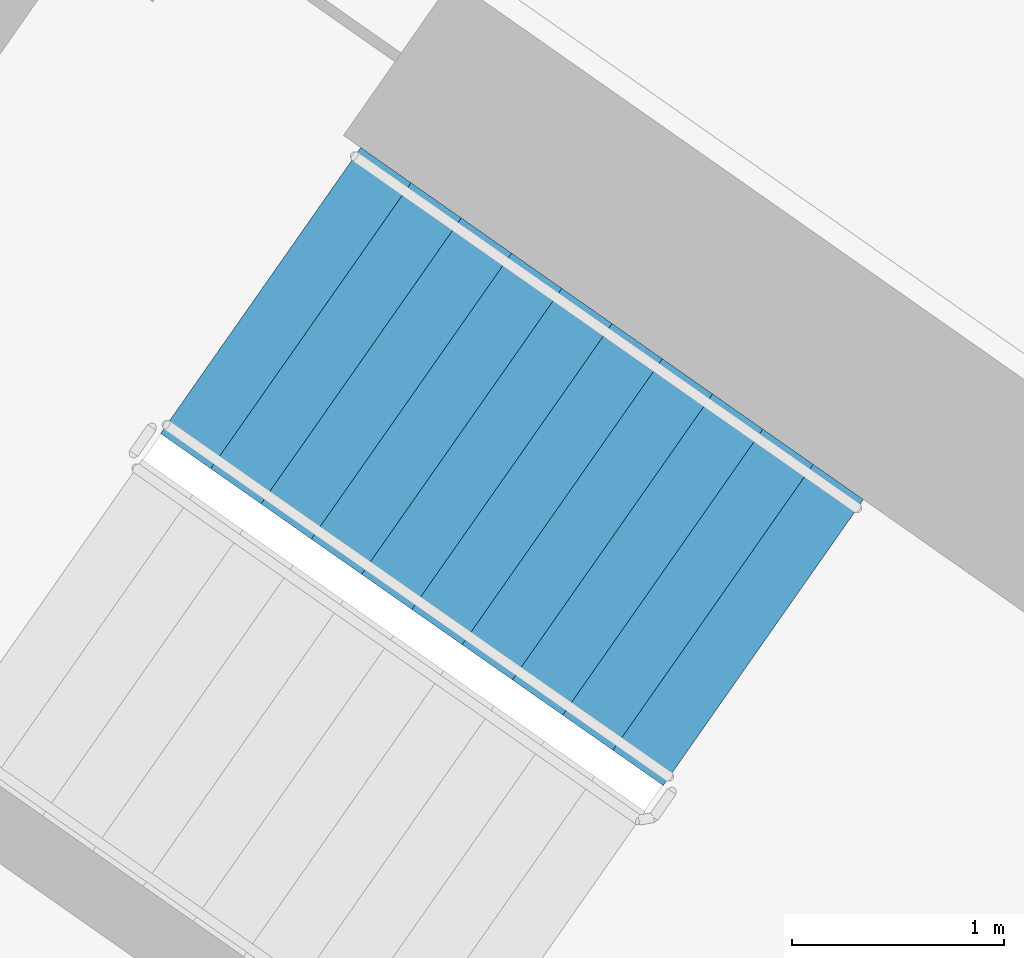
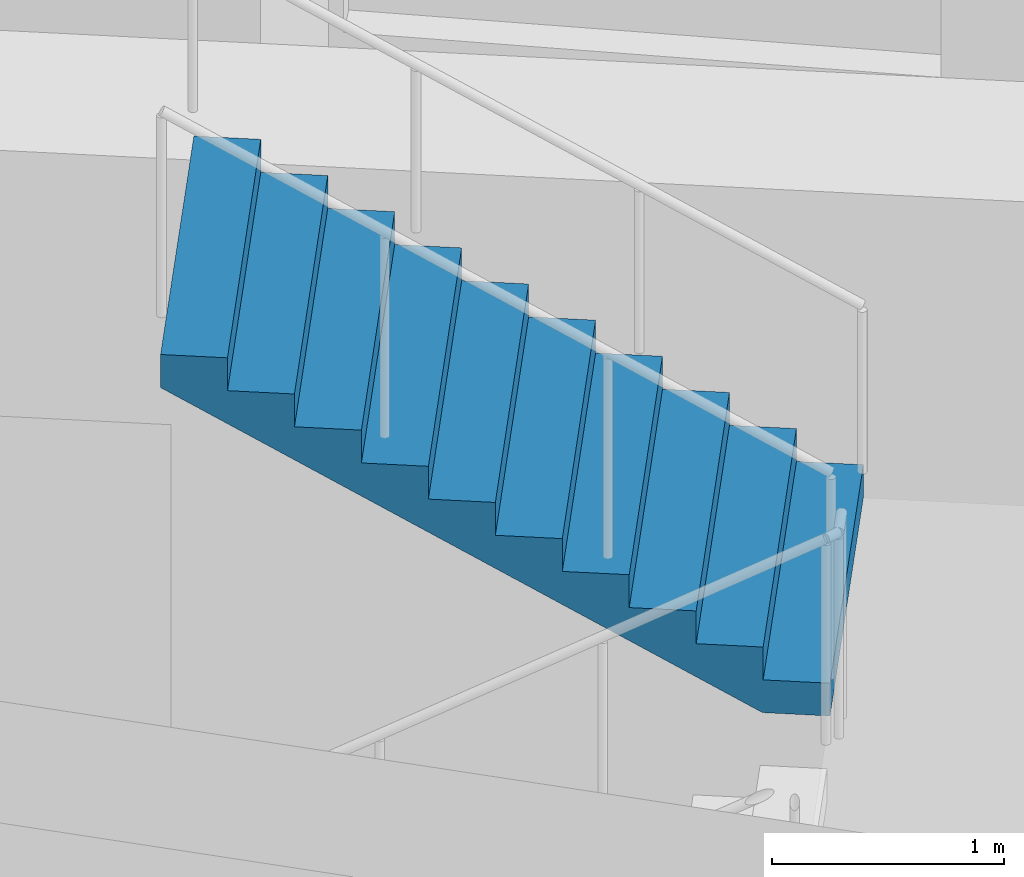
# One storey, part 13 of 29: 1 stair flight, 1 element without a shape of its own.
"""IFC4 building model written with IfcOpenShell, lengths in metres."""

import ifcopenshell
import ifcopenshell.guid

model = None  # the IFC model being written
_history = None  # IfcOwnerHistory: only IFC2X3 demands one
_inside = {}  # id of a spatial element -> (the spatial element, [elements in it])
_under = {}  # id of a project, library or spatial element -> (it, [spatial elements below it])
_declared = {}  # id of a project -> (the project, [libraries it declares])
_typed = {}  # id of a type object -> (the type object, [elements of that type])
_made_of = {}  # id of a material, layer set ... -> (it, [elements and type objects made of it])


def new_model(schema):
    """Start an empty IFC model of exactly this schema.

    Asked for "IFC4X3", IfcOpenShell would pick the latest addendum, in which some entities
    have other attributes; the version numbers below select the first issue.
    IFC2X3 requires an IfcOwnerHistory on every rooted entity: one is made here for all.
    """
    global model, _history
    if schema == "IFC4X3":
        model = ifcopenshell.file(schema_version=(4, 3, 0, 0))
    else:
        model = ifcopenshell.file(schema=schema)
    _inside.clear()
    _under.clear()
    _declared.clear()
    _typed.clear()
    _made_of.clear()
    _history = None
    if model.schema == "IFC2X3":
        org = make("IfcOrganization", Name="unknown")
        user = make(
            "IfcPersonAndOrganization",
            ThePerson=make("IfcPerson", FamilyName="unknown"),
            TheOrganization=org,
        )
        app = make(
            "IfcApplication",
            ApplicationDeveloper=org,
            Version="unknown",
            ApplicationFullName="unknown",
            ApplicationIdentifier="unknown",
        )
        _history = make(
            "IfcOwnerHistory",
            OwningUser=user,
            OwningApplication=app,
            ChangeAction="ADDED",
            CreationDate=0,
        )
    return model


def make(cls, **values):
    """One entity of the class cls with the attributes given. An attribute that is None is left unset."""
    return model.create_entity(
        cls, **{name: value for name, value in values.items() if value is not None}
    )


def rooted(cls, **values):
    """An entity with a GlobalId (a new one), such as an element, a storey or a relation."""
    return make(cls, GlobalId=ifcopenshell.guid.new(), OwnerHistory=_history, **values)


def si_unit(unit_type, name, prefix=None):
    """IfcSIUnit, for example si_unit("LENGTHUNIT", "METRE", prefix="MILLI")."""
    return make("IfcSIUnit", UnitType=unit_type, Prefix=prefix, Name=name)


def assignment(units):
    """IfcUnitAssignment: the units of a project."""
    return None if units is None else make("IfcUnitAssignment", Units=units)


def point(xyz):
    """IfcCartesianPoint."""
    return None if xyz is None else make("IfcCartesianPoint", Coordinates=xyz)


def direction(xyz):
    """IfcDirection."""
    return None if xyz is None else make("IfcDirection", DirectionRatios=xyz)


def frame(location, z_axis=None, x_axis=None):
    """IfcAxis2Placement3D, a coordinate frame: its origin and axes. An axis left out is left unset."""
    return make(
        "IfcAxis2Placement3D",
        Location=point(location),
        Axis=direction(z_axis),
        RefDirection=direction(x_axis),
    )


def origin():
    """The frame at (0, 0, 0) with its axes left unset."""
    return frame((0.0, 0.0, 0.0))


def place(relative_to, where):
    """IfcLocalPlacement: puts the frame where relative to a parent placement (None: the world)."""
    return make(
        "IfcLocalPlacement", PlacementRelTo=relative_to, RelativePlacement=where
    )


def context(
    kind, dimensions, precision=None, world=None, true_north=None, identifier=None
):
    """IfcGeometricRepresentationContext, for example the 3D "Model" context."""
    return make(
        "IfcGeometricRepresentationContext",
        ContextIdentifier=identifier,
        ContextType=kind,
        CoordinateSpaceDimension=dimensions,
        Precision=precision,
        WorldCoordinateSystem=world,
        TrueNorth=true_north,
    )


def subcontext(parent, identifier, kind, view, scale=None):
    """IfcGeometricRepresentationSubContext, for example "Body" below "Model"."""
    return make(
        "IfcGeometricRepresentationSubContext",
        ContextIdentifier=identifier,
        ContextType=kind,
        ParentContext=parent,
        TargetScale=scale,
        TargetView=view,
    )


def project(units=None, contexts=None):
    """IfcProject with its units and contexts."""
    return rooted(
        "IfcProject",
        Name="project",
        RepresentationContexts=contexts,
        UnitsInContext=assignment(units),
    )


def spatial(cls, under=None, at=None, **own):
    """A site, building, storey or space (cls), placed at a placement, below another one or the project."""
    s = rooted(cls, ObjectPlacement=at, **own)
    if under is not None:
        _under.setdefault(under.id(), (under, []))[1].append(s)
    return s


def faces_of(points, faces, orient=None, outer=None):
    """IfcFace entities. A face is a list of loops; a loop is a list of indices into points, from 0.

    orient and outer hold one flag for each loop. By default every Orientation is true, the
    first loop of a face is its IfcFaceOuterBound and the others are IfcFaceBound.
    """
    made = []
    for i, loops in enumerate(faces):
        bounds = []
        for j, loop in enumerate(loops):
            is_outer = j == 0 if outer is None else outer[i][j]
            bounds.append(
                make(
                    "IfcFaceOuterBound" if is_outer else "IfcFaceBound",
                    Bound=make("IfcPolyLoop", Polygon=[points[k] for k in loop]),
                    Orientation=True if orient is None else orient[i][j],
                )
            )
        made.append(make("IfcFace", Bounds=bounds))
    return made


def faceted_brep(points, faces, orient=None, outer=None, voids=None):
    """IfcFacetedBrep: a solid bounded by flat faces; with voids (closed shells), ...WithVoids."""
    shared = [point(p) for p in points]
    hull = make("IfcClosedShell", CfsFaces=faces_of(shared, faces, orient, outer))
    if voids is None:
        return make("IfcFacetedBrep", Outer=hull)
    return make(
        "IfcFacetedBrepWithVoids",
        Outer=hull,
        Voids=[
            make(cls, CfsFaces=faces_of(shared, fs, o, b)) for cls, fs, o, b in voids
        ],
    )


def shape(context_of_items, identifier, shape_type, items):
    """IfcShapeRepresentation: the items that make up one representation, for example the "Body"."""
    return make(
        "IfcShapeRepresentation",
        ContextOfItems=context_of_items,
        RepresentationIdentifier=identifier,
        RepresentationType=shape_type,
        Items=items,
    )


def material(Name=None, Category=None):
    """IfcMaterial."""
    return make("IfcMaterial", Name=Name, Category=Category)


def made_of(thing, what):
    """Note that an element or type object is made of a material, layer set ...; save() writes the relation."""
    if what is not None:
        _made_of.setdefault(what.id(), (what, []))[1].append(thing)
    return thing


def type_object(cls, material=None, **own):
    """A type object (cls), such as IfcWallType, which elements share."""
    return made_of(rooted(cls, **own), material)


def element(
    cls,
    number,
    at=None,
    inside=None,
    cuts=None,
    type_object=None,
    material=None,
    context=None,
    identifier="Body",
    shape_type=None,
    held_by="IfcProductDefinitionShape",
    body=None,
    shapes=None,
    **own,
):
    """One element of the class cls, such as IfcWall. Its Tag is "e" and its number.

    at: its placement. inside: the storey or other place that contains it. cuts: it is an
    opening in that element (IfcRelVoidsElement). A single representation is given by context,
    identifier, shape_type and body (its items); several are given by shapes. held_by: the class
    of the entity that holds the representations. save() writes the other relations.
    """
    e = rooted(cls, Tag="e%d" % number, ObjectPlacement=at, **own)
    if body is not None:
        shapes = [shape(context, identifier, shape_type, body)]
    if shapes is not None:
        e.Representation = make(held_by, Representations=shapes)
    if inside is not None:
        _inside.setdefault(inside.id(), (inside, []))[1].append(e)
    if cuts is not None:
        rooted(
            "IfcRelVoidsElement", RelatingBuildingElement=cuts, RelatedOpeningElement=e
        )
    if type_object is not None:
        _typed.setdefault(type_object.id(), (type_object, []))[1].append(e)
    return made_of(e, material)


def aggregate(whole, parts):
    """IfcRelAggregates: a whole, such as a stair, and the parts it consists of."""
    return rooted("IfcRelAggregates", RelatingObject=whole, RelatedObjects=parts)


def save(model, path):
    """Write the relations noted so far, then the file.

    IfcRelAggregates (storeys below a building ...), IfcRelContainedInSpatialStructure (elements
    in a storey), IfcRelDefinesByType, IfcRelAssociatesMaterial and IfcRelDeclares: one each for
    every whole, place, type object, material and project.
    """
    for whole, parts in _under.values():
        aggregate(whole, parts)
    for where, things in _inside.values():
        rooted(
            "IfcRelContainedInSpatialStructure",
            RelatedElements=things,
            RelatingStructure=where,
        )
    for kind, things in _typed.values():
        rooted("IfcRelDefinesByType", RelatedObjects=things, RelatingType=kind)
    for what, things in _made_of.values():
        rooted("IfcRelAssociatesMaterial", RelatedObjects=things, RelatingMaterial=what)
    for by, libraries in _declared.values():
        rooted("IfcRelDeclares", RelatingContext=by, RelatedDefinitions=libraries)
    model.write(path)


model = new_model("IFC4")

# Units and contexts
model_context = context("Model", 3, precision=1e-05, world=origin(), true_north=direction((0.0, 1.0)))
body_context = subcontext(model_context, "Body", "Model", "MODEL_VIEW")
ifc_project = project(units=[si_unit("LENGTHUNIT", "METRE"), si_unit("AREAUNIT", "SQUARE_METRE"), si_unit("VOLUMEUNIT", "CUBIC_METRE"), si_unit("PLANEANGLEUNIT", "RADIAN"), si_unit("MASSUNIT", "GRAM", prefix="KILO")], contexts=[model_context])

# Site, building, storey
site_placement = place(None, origin())
site = spatial("IfcSite", under=ifc_project, at=site_placement, CompositionType="ELEMENT")
building_placement = place(site_placement, origin())
building = spatial("IfcBuilding", under=site, at=building_placement, Name="Qamariyya Broadcast Tower", CompositionType="ELEMENT")
storey_placement = place(building_placement, frame((0.0, 0.0, 106.300048828125)))
storey = spatial("IfcBuildingStorey", under=building, at=storey_placement, Name="L23", CompositionType="ELEMENT", Elevation=106.300048828125)

# Stair, stair flight
ifc_material = material(Name="Concrete C50/60", Category="concrete")
stair_type = type_object("IfcStairType", Name="Exit stair 22 risers of 173 mm", PredefinedType="HALF_TURN_STAIR", material=ifc_material)
stair_placement = place(storey_placement, origin())
stair = element("IfcStair", 1, at=stair_placement, inside=storey, type_object=stair_type, Name="L23 Stair W2", PredefinedType="HALF_TURN_STAIR")
stair_flight_type = type_object("IfcStairFlightType", Name="Exit stair flight 11 risers of 173 mm", PredefinedType="STRAIGHT", material=ifc_material)
stair_flight_placement = place(storey_placement, frame((-38.18310546875, -49.3486328125, 1.89990234375), z_axis=(0.0, 0.0, 1.0), x_axis=(-0.819152044289, 0.573576436351, 0.0)))
stair_flight = element("IfcStairFlight", 2, at=stair_flight_placement, type_object=stair_flight_type, Name="ST-W2 flight 2", NumberOfRisers=11, NumberOfTreads=10, PredefinedType="STRAIGHT", RiserHeight=0.172727273, TreadLength=0.29, context=body_context, shape_type="Brep", body=[
    faceted_brep([(0.0, 0.824951171875, 0.0), (0.0, 0.824951171875, 0.172607421875), (0.2900390625, 0.824951171875, 0.172607421875), (0.2900390625, 0.824951171875, 0.345458984375), (0.580078125, 0.824951171875, 0.345458984375), (0.580078125, 0.824951171875, 0.51806640625), (0.8701171875, 0.824951171875, 0.51806640625), (0.8701171875, 0.824951171875, 0.69091796875), (1.159912109375, 0.824951171875, 0.69091796875), (1.159912109375, 0.824951171875, 0.863525390625), (1.449951171875, 0.824951171875, 0.863525390625), (1.449951171875, 0.824951171875, 1.036376953125), (1.739990234375, 0.824951171875, 1.036376953125), (1.739990234375, 0.824951171875, 1.208984375), (2.030029296875, 0.824951171875, 1.208984375), (2.030029296875, 0.824951171875, 1.3818359375), (2.320068359375, 0.824951171875, 1.3818359375), (2.320068359375, 0.824951171875, 1.554443359375), (2.610107421875, 0.824951171875, 1.554443359375), (2.610107421875, 0.824951171875, 1.727294921875), (2.89990234375, 0.824951171875, 1.727294921875), (2.89990234375, 0.824951171875, 1.552734375), (0.29296875, 0.824951171875, 0.0), (0.29296875, -0.824951171875, 0.0), (2.89990234375, -0.824951171875, 1.552734375), (2.89990234375, -0.824951171875, 1.727294921875), (2.610107421875, -0.824951171875, 1.727294921875), (2.610107421875, -0.824951171875, 1.554443359375), (2.320068359375, -0.824951171875, 1.554443359375), (2.320068359375, -0.824951171875, 1.3818359375), (2.030029296875, -0.824951171875, 1.3818359375), (2.030029296875, -0.824951171875, 1.208984375), (1.739990234375, -0.824951171875, 1.208984375), (1.739990234375, -0.824951171875, 1.036376953125), (1.449951171875, -0.824951171875, 1.036376953125), (1.449951171875, -0.824951171875, 0.863525390625), (1.159912109375, -0.824951171875, 0.863525390625), (1.159912109375, -0.824951171875, 0.69091796875), (0.8701171875, -0.824951171875, 0.69091796875), (0.8701171875, -0.824951171875, 0.51806640625), (0.580078125, -0.824951171875, 0.51806640625), (0.580078125, -0.824951171875, 0.345458984375), (0.2900390625, -0.824951171875, 0.345458984375), (0.2900390625, -0.824951171875, 0.172607421875), (0.0, -0.824951171875, 0.172607421875), (0.0, -0.824951171875, 0.0), (0.0, 0.10009765625, 0.0), (0.0, 0.086669921875, 0.0), (0.0, 0.0732421875, 0.0), (0.0, 0.06005859375, 0.0), (0.0, 0.046630859375, 0.0), (0.0, 0.033447265625, 0.0), (0.0, 0.02001953125, 0.0), (0.0, 0.006591796875, 0.0), (0.0, -0.006591796875, 0.0), (0.0, -0.02001953125, 0.0), (0.0, -0.033447265625, 0.0), (0.0, -0.046630859375, 0.0), (0.0, -0.06005859375, 0.0), (0.0, -0.0732421875, 0.0), (0.0, -0.086669921875, 0.0), (0.0, -0.10009765625, 0.0), (0.0, -0.10009765625, 0.172607421875), (0.0, -0.086669921875, 0.172607421875), (0.0, -0.0732421875, 0.172607421875), (0.0, -0.06005859375, 0.172607421875), (0.0, -0.046630859375, 0.172607421875), (0.0, -0.033447265625, 0.172607421875), (0.0, -0.02001953125, 0.172607421875), (0.0, -0.006591796875, 0.172607421875), (0.0, 0.006591796875, 0.172607421875), (0.0, 0.02001953125, 0.172607421875), (0.0, 0.033447265625, 0.172607421875), (0.0, 0.046630859375, 0.172607421875), (0.0, 0.06005859375, 0.172607421875), (0.0, 0.0732421875, 0.172607421875), (0.0, 0.086669921875, 0.172607421875), (0.0, 0.10009765625, 0.172607421875), (0.2900390625, -0.10009765625, 0.172607421875), (0.2900390625, -0.086669921875, 0.172607421875), (0.2900390625, -0.0732421875, 0.172607421875), (0.2900390625, -0.06005859375, 0.172607421875), (0.2900390625, -0.046630859375, 0.172607421875), (0.2900390625, -0.033447265625, 0.172607421875), (0.2900390625, -0.02001953125, 0.172607421875), (0.2900390625, -0.006591796875, 0.172607421875), (0.2900390625, 0.006591796875, 0.172607421875), (0.2900390625, 0.02001953125, 0.172607421875), (0.2900390625, 0.033447265625, 0.172607421875), (0.2900390625, 0.046630859375, 0.172607421875), (0.2900390625, 0.06005859375, 0.172607421875), (0.2900390625, 0.0732421875, 0.172607421875), (0.2900390625, 0.086669921875, 0.172607421875), (0.2900390625, 0.10009765625, 0.172607421875), (0.2900390625, -0.10009765625, 0.345458984375), (0.2900390625, -0.086669921875, 0.345458984375), (0.2900390625, -0.0732421875, 0.345458984375), (0.2900390625, -0.06005859375, 0.345458984375), (0.2900390625, -0.046630859375, 0.345458984375), (0.2900390625, -0.033447265625, 0.345458984375), (0.2900390625, -0.02001953125, 0.345458984375), (0.2900390625, -0.006591796875, 0.345458984375), (0.2900390625, 0.006591796875, 0.345458984375), (0.2900390625, 0.02001953125, 0.345458984375), (0.2900390625, 0.033447265625, 0.345458984375), (0.2900390625, 0.046630859375, 0.345458984375), (0.2900390625, 0.06005859375, 0.345458984375), (0.2900390625, 0.0732421875, 0.345458984375), (0.2900390625, 0.086669921875, 0.345458984375), (0.2900390625, 0.10009765625, 0.345458984375), (0.580078125, -0.10009765625, 0.345458984375), (0.580078125, -0.086669921875, 0.345458984375), (0.580078125, -0.0732421875, 0.345458984375), (0.580078125, -0.06005859375, 0.345458984375), (0.580078125, -0.046630859375, 0.345458984375), (0.580078125, -0.033447265625, 0.345458984375), (0.580078125, -0.02001953125, 0.345458984375), (0.580078125, -0.006591796875, 0.345458984375), (0.580078125, 0.006591796875, 0.345458984375), (0.580078125, 0.02001953125, 0.345458984375), (0.580078125, 0.033447265625, 0.345458984375), (0.580078125, 0.046630859375, 0.345458984375), (0.580078125, 0.06005859375, 0.345458984375), (0.580078125, 0.0732421875, 0.345458984375), (0.580078125, 0.086669921875, 0.345458984375), (0.580078125, 0.10009765625, 0.345458984375), (0.580078125, -0.10009765625, 0.51806640625), (0.580078125, -0.086669921875, 0.51806640625), (0.580078125, -0.0732421875, 0.51806640625), (0.580078125, -0.06005859375, 0.51806640625), (0.580078125, -0.046630859375, 0.51806640625), (0.580078125, -0.033447265625, 0.51806640625), (0.580078125, -0.02001953125, 0.51806640625), (0.580078125, -0.006591796875, 0.51806640625), (0.580078125, 0.006591796875, 0.51806640625), (0.580078125, 0.02001953125, 0.51806640625), (0.580078125, 0.033447265625, 0.51806640625), (0.580078125, 0.046630859375, 0.51806640625), (0.580078125, 0.06005859375, 0.51806640625), (0.580078125, 0.0732421875, 0.51806640625), (0.580078125, 0.086669921875, 0.51806640625), (0.580078125, 0.10009765625, 0.51806640625), (0.8701171875, -0.10009765625, 0.51806640625), (0.8701171875, -0.086669921875, 0.51806640625), (0.8701171875, -0.0732421875, 0.51806640625), (0.8701171875, -0.06005859375, 0.51806640625), (0.8701171875, -0.046630859375, 0.51806640625), (0.8701171875, -0.033447265625, 0.51806640625), (0.8701171875, -0.02001953125, 0.51806640625), (0.8701171875, -0.006591796875, 0.51806640625), (0.8701171875, 0.006591796875, 0.51806640625), (0.8701171875, 0.02001953125, 0.51806640625), (0.8701171875, 0.033447265625, 0.51806640625), (0.8701171875, 0.046630859375, 0.51806640625), (0.8701171875, 0.06005859375, 0.51806640625), (0.8701171875, 0.0732421875, 0.51806640625), (0.8701171875, 0.086669921875, 0.51806640625), (0.8701171875, 0.10009765625, 0.51806640625), (0.8701171875, -0.10009765625, 0.69091796875), (0.8701171875, -0.086669921875, 0.69091796875), (0.8701171875, -0.0732421875, 0.69091796875), (0.8701171875, -0.06005859375, 0.69091796875), (0.8701171875, -0.046630859375, 0.69091796875), (0.8701171875, -0.033447265625, 0.69091796875), (0.8701171875, -0.02001953125, 0.69091796875), (0.8701171875, -0.006591796875, 0.69091796875), (0.8701171875, 0.006591796875, 0.69091796875), (0.8701171875, 0.02001953125, 0.69091796875), (0.8701171875, 0.033447265625, 0.69091796875), (0.8701171875, 0.046630859375, 0.69091796875), (0.8701171875, 0.06005859375, 0.69091796875), (0.8701171875, 0.0732421875, 0.69091796875), (0.8701171875, 0.086669921875, 0.69091796875), (0.8701171875, 0.10009765625, 0.69091796875), (1.159912109375, -0.10009765625, 0.69091796875), (1.159912109375, -0.086669921875, 0.69091796875), (1.159912109375, -0.0732421875, 0.69091796875), (1.159912109375, -0.06005859375, 0.69091796875), (1.159912109375, -0.046630859375, 0.69091796875), (1.159912109375, -0.033447265625, 0.69091796875), (1.159912109375, -0.02001953125, 0.69091796875), (1.159912109375, -0.006591796875, 0.69091796875), (1.159912109375, 0.006591796875, 0.69091796875), (1.159912109375, 0.02001953125, 0.69091796875), (1.159912109375, 0.033447265625, 0.69091796875), (1.159912109375, 0.046630859375, 0.69091796875), (1.159912109375, 0.06005859375, 0.69091796875), (1.159912109375, 0.0732421875, 0.69091796875), (1.159912109375, 0.086669921875, 0.69091796875), (1.159912109375, 0.10009765625, 0.69091796875), (1.159912109375, -0.10009765625, 0.863525390625), (1.159912109375, -0.086669921875, 0.863525390625), (1.159912109375, -0.0732421875, 0.863525390625), (1.159912109375, -0.06005859375, 0.863525390625), (1.159912109375, -0.046630859375, 0.863525390625), (1.159912109375, -0.033447265625, 0.863525390625), (1.159912109375, -0.02001953125, 0.863525390625), (1.159912109375, -0.006591796875, 0.863525390625), (1.159912109375, 0.006591796875, 0.863525390625), (1.159912109375, 0.02001953125, 0.863525390625), (1.159912109375, 0.033447265625, 0.863525390625), (1.159912109375, 0.046630859375, 0.863525390625), (1.159912109375, 0.06005859375, 0.863525390625), (1.159912109375, 0.0732421875, 0.863525390625), (1.159912109375, 0.086669921875, 0.863525390625), (1.159912109375, 0.10009765625, 0.863525390625), (1.449951171875, -0.10009765625, 0.863525390625), (1.449951171875, -0.086669921875, 0.863525390625), (1.449951171875, -0.0732421875, 0.863525390625), (1.449951171875, -0.06005859375, 0.863525390625), (1.449951171875, -0.046630859375, 0.863525390625), (1.449951171875, -0.033447265625, 0.863525390625), (1.449951171875, -0.02001953125, 0.863525390625), (1.449951171875, -0.006591796875, 0.863525390625), (1.449951171875, 0.006591796875, 0.863525390625), (1.449951171875, 0.02001953125, 0.863525390625), (1.449951171875, 0.033447265625, 0.863525390625), (1.449951171875, 0.046630859375, 0.863525390625), (1.449951171875, 0.06005859375, 0.863525390625), (1.449951171875, 0.0732421875, 0.863525390625), (1.449951171875, 0.086669921875, 0.863525390625), (1.449951171875, 0.10009765625, 0.863525390625), (1.449951171875, -0.10009765625, 1.036376953125), (1.449951171875, -0.086669921875, 1.036376953125), (1.449951171875, -0.0732421875, 1.036376953125), (1.449951171875, -0.06005859375, 1.036376953125), (1.449951171875, -0.046630859375, 1.036376953125), (1.449951171875, -0.033447265625, 1.036376953125), (1.449951171875, -0.02001953125, 1.036376953125), (1.449951171875, -0.006591796875, 1.036376953125), (1.449951171875, 0.006591796875, 1.036376953125), (1.449951171875, 0.02001953125, 1.036376953125), (1.449951171875, 0.033447265625, 1.036376953125), (1.449951171875, 0.046630859375, 1.036376953125), (1.449951171875, 0.06005859375, 1.036376953125), (1.449951171875, 0.0732421875, 1.036376953125), (1.449951171875, 0.086669921875, 1.036376953125), (1.449951171875, 0.10009765625, 1.036376953125), (1.739990234375, -0.10009765625, 1.036376953125), (1.739990234375, -0.086669921875, 1.036376953125), (1.739990234375, -0.0732421875, 1.036376953125), (1.739990234375, -0.06005859375, 1.036376953125), (1.739990234375, -0.046630859375, 1.036376953125), (1.739990234375, -0.033447265625, 1.036376953125), (1.739990234375, -0.02001953125, 1.036376953125), (1.739990234375, -0.006591796875, 1.036376953125), (1.739990234375, 0.006591796875, 1.036376953125), (1.739990234375, 0.02001953125, 1.036376953125), (1.739990234375, 0.033447265625, 1.036376953125), (1.739990234375, 0.046630859375, 1.036376953125), (1.739990234375, 0.06005859375, 1.036376953125), (1.739990234375, 0.0732421875, 1.036376953125), (1.739990234375, 0.086669921875, 1.036376953125), (1.739990234375, 0.10009765625, 1.036376953125), (1.739990234375, -0.10009765625, 1.208984375), (1.739990234375, -0.086669921875, 1.208984375), (1.739990234375, -0.0732421875, 1.208984375), (1.739990234375, -0.06005859375, 1.208984375), (1.739990234375, -0.046630859375, 1.208984375), (1.739990234375, -0.033447265625, 1.208984375), (1.739990234375, -0.02001953125, 1.208984375), (1.739990234375, -0.006591796875, 1.208984375), (1.739990234375, 0.006591796875, 1.208984375), (1.739990234375, 0.02001953125, 1.208984375), (1.739990234375, 0.033447265625, 1.208984375), (1.739990234375, 0.046630859375, 1.208984375), (1.739990234375, 0.06005859375, 1.208984375), (1.739990234375, 0.0732421875, 1.208984375), (1.739990234375, 0.086669921875, 1.208984375), (1.739990234375, 0.10009765625, 1.208984375), (2.030029296875, -0.10009765625, 1.208984375), (2.030029296875, -0.086669921875, 1.208984375), (2.030029296875, -0.0732421875, 1.208984375), (2.030029296875, -0.06005859375, 1.208984375), (2.030029296875, -0.046630859375, 1.208984375), (2.030029296875, -0.033447265625, 1.208984375), (2.030029296875, -0.02001953125, 1.208984375), (2.030029296875, -0.006591796875, 1.208984375), (2.030029296875, 0.006591796875, 1.208984375), (2.030029296875, 0.02001953125, 1.208984375), (2.030029296875, 0.033447265625, 1.208984375), (2.030029296875, 0.046630859375, 1.208984375), (2.030029296875, 0.06005859375, 1.208984375), (2.030029296875, 0.0732421875, 1.208984375), (2.030029296875, 0.086669921875, 1.208984375), (2.030029296875, 0.10009765625, 1.208984375), (2.030029296875, -0.10009765625, 1.3818359375), (2.030029296875, -0.086669921875, 1.3818359375), (2.030029296875, -0.0732421875, 1.3818359375), (2.030029296875, -0.06005859375, 1.3818359375), (2.030029296875, -0.046630859375, 1.3818359375), (2.030029296875, -0.033447265625, 1.3818359375), (2.030029296875, -0.02001953125, 1.3818359375), (2.030029296875, -0.006591796875, 1.3818359375), (2.030029296875, 0.006591796875, 1.3818359375), (2.030029296875, 0.02001953125, 1.3818359375), (2.030029296875, 0.033447265625, 1.3818359375), (2.030029296875, 0.046630859375, 1.3818359375), (2.030029296875, 0.06005859375, 1.3818359375), (2.030029296875, 0.0732421875, 1.3818359375), (2.030029296875, 0.086669921875, 1.3818359375), (2.030029296875, 0.10009765625, 1.3818359375), (2.320068359375, -0.10009765625, 1.3818359375), (2.320068359375, -0.086669921875, 1.3818359375), (2.320068359375, -0.0732421875, 1.3818359375), (2.320068359375, -0.06005859375, 1.3818359375), (2.320068359375, -0.046630859375, 1.3818359375), (2.320068359375, -0.033447265625, 1.3818359375), (2.320068359375, -0.02001953125, 1.3818359375), (2.320068359375, -0.006591796875, 1.3818359375), (2.320068359375, 0.006591796875, 1.3818359375), (2.320068359375, 0.02001953125, 1.3818359375), (2.320068359375, 0.033447265625, 1.3818359375), (2.320068359375, 0.046630859375, 1.3818359375), (2.320068359375, 0.06005859375, 1.3818359375), (2.320068359375, 0.0732421875, 1.3818359375), (2.320068359375, 0.086669921875, 1.3818359375), (2.320068359375, 0.10009765625, 1.3818359375), (2.320068359375, -0.10009765625, 1.554443359375), (2.320068359375, -0.086669921875, 1.554443359375), (2.320068359375, -0.0732421875, 1.554443359375), (2.320068359375, -0.06005859375, 1.554443359375), (2.320068359375, -0.046630859375, 1.554443359375), (2.320068359375, -0.033447265625, 1.554443359375), (2.320068359375, -0.02001953125, 1.554443359375), (2.320068359375, -0.006591796875, 1.554443359375), (2.320068359375, 0.006591796875, 1.554443359375), (2.320068359375, 0.02001953125, 1.554443359375), (2.320068359375, 0.033447265625, 1.554443359375), (2.320068359375, 0.046630859375, 1.554443359375), (2.320068359375, 0.06005859375, 1.554443359375), (2.320068359375, 0.0732421875, 1.554443359375), (2.320068359375, 0.086669921875, 1.554443359375), (2.320068359375, 0.10009765625, 1.554443359375), (2.610107421875, -0.10009765625, 1.554443359375), (2.610107421875, -0.086669921875, 1.554443359375), (2.610107421875, -0.0732421875, 1.554443359375), (2.610107421875, -0.06005859375, 1.554443359375), (2.610107421875, -0.046630859375, 1.554443359375), (2.610107421875, -0.033447265625, 1.554443359375), (2.610107421875, -0.02001953125, 1.554443359375), (2.610107421875, -0.006591796875, 1.554443359375), (2.610107421875, 0.006591796875, 1.554443359375), (2.610107421875, 0.02001953125, 1.554443359375), (2.610107421875, 0.033447265625, 1.554443359375), (2.610107421875, 0.046630859375, 1.554443359375), (2.610107421875, 0.06005859375, 1.554443359375), (2.610107421875, 0.0732421875, 1.554443359375), (2.610107421875, 0.086669921875, 1.554443359375), (2.610107421875, 0.10009765625, 1.554443359375), (2.610107421875, -0.10009765625, 1.727294921875), (2.610107421875, -0.086669921875, 1.727294921875), (2.610107421875, -0.0732421875, 1.727294921875), (2.610107421875, -0.06005859375, 1.727294921875), (2.610107421875, -0.046630859375, 1.727294921875), (2.610107421875, -0.033447265625, 1.727294921875), (2.610107421875, -0.02001953125, 1.727294921875), (2.610107421875, -0.006591796875, 1.727294921875), (2.610107421875, 0.006591796875, 1.727294921875), (2.610107421875, 0.02001953125, 1.727294921875), (2.610107421875, 0.033447265625, 1.727294921875), (2.610107421875, 0.046630859375, 1.727294921875), (2.610107421875, 0.06005859375, 1.727294921875), (2.610107421875, 0.0732421875, 1.727294921875), (2.610107421875, 0.086669921875, 1.727294921875), (2.610107421875, 0.10009765625, 1.727294921875), (2.89990234375, -0.10009765625, 1.727294921875), (2.89990234375, -0.086669921875, 1.727294921875), (2.89990234375, -0.0732421875, 1.727294921875), (2.89990234375, -0.06005859375, 1.727294921875), (2.89990234375, -0.046630859375, 1.727294921875), (2.89990234375, -0.033447265625, 1.727294921875), (2.89990234375, -0.02001953125, 1.727294921875), (2.89990234375, -0.006591796875, 1.727294921875), (2.89990234375, 0.006591796875, 1.727294921875), (2.89990234375, 0.02001953125, 1.727294921875), (2.89990234375, 0.033447265625, 1.727294921875), (2.89990234375, 0.046630859375, 1.727294921875), (2.89990234375, 0.06005859375, 1.727294921875), (2.89990234375, 0.0732421875, 1.727294921875), (2.89990234375, 0.086669921875, 1.727294921875), (2.89990234375, 0.10009765625, 1.727294921875), (2.89990234375, -0.10009765625, 1.552734375), (2.89990234375, -0.086669921875, 1.552734375), (2.89990234375, -0.0732421875, 1.552734375), (2.89990234375, -0.06005859375, 1.552734375), (2.89990234375, -0.046630859375, 1.552734375), (2.89990234375, -0.033447265625, 1.552734375), (2.89990234375, -0.02001953125, 1.552734375), (2.89990234375, -0.006591796875, 1.552734375), (2.89990234375, 0.006591796875, 1.552734375), (2.89990234375, 0.02001953125, 1.552734375), (2.89990234375, 0.033447265625, 1.552734375), (2.89990234375, 0.046630859375, 1.552734375), (2.89990234375, 0.06005859375, 1.552734375), (2.89990234375, 0.0732421875, 1.552734375), (2.89990234375, 0.086669921875, 1.552734375), (2.89990234375, 0.10009765625, 1.552734375), (0.29296875, -0.10009765625, 0.0), (0.29296875, -0.086669921875, 0.0), (0.29296875, -0.0732421875, 0.0), (0.29296875, -0.06005859375, 0.0), (0.29296875, -0.046630859375, 0.0), (0.29296875, -0.033447265625, 0.0), (0.29296875, -0.02001953125, 0.0), (0.29296875, -0.006591796875, 0.0), (0.29296875, 0.006591796875, 0.0), (0.29296875, 0.02001953125, 0.0), (0.29296875, 0.033447265625, 0.0), (0.29296875, 0.046630859375, 0.0), (0.29296875, 0.06005859375, 0.0), (0.29296875, 0.0732421875, 0.0), (0.29296875, 0.086669921875, 0.0), (0.29296875, 0.10009765625, 0.0)], [[[0, 1, 2, 3, 4, 5, 6, 7, 8, 9, 10, 11, 12, 13, 14, 15, 16, 17, 18, 19, 20, 21, 22]], [[23, 24, 25, 26, 27, 28, 29, 30, 31, 32, 33, 34, 35, 36, 37, 38, 39, 40, 41, 42, 43, 44, 45]], [[0, 46, 47, 48, 49, 50, 51, 52, 53, 54, 55, 56, 57, 58, 59, 60, 61, 45, 44, 62, 63, 64, 65, 66, 67, 68, 69, 70, 71, 72, 73, 74, 75, 76, 77, 1]], [[1, 77, 76, 75, 74, 73, 72, 71, 70, 69, 68, 67, 66, 65, 64, 63, 62, 44, 43, 78, 79, 80, 81, 82, 83, 84, 85, 86, 87, 88, 89, 90, 91, 92, 93, 2]], [[2, 93, 92, 91, 90, 89, 88, 87, 86, 85, 84, 83, 82, 81, 80, 79, 78, 43, 42, 94, 95, 96, 97, 98, 99, 100, 101, 102, 103, 104, 105, 106, 107, 108, 109, 3]], [[3, 109, 108, 107, 106, 105, 104, 103, 102, 101, 100, 99, 98, 97, 96, 95, 94, 42, 41, 110, 111, 112, 113, 114, 115, 116, 117, 118, 119, 120, 121, 122, 123, 124, 125, 4]], [[4, 125, 124, 123, 122, 121, 120, 119, 118, 117, 116, 115, 114, 113, 112, 111, 110, 41, 40, 126, 127, 128, 129, 130, 131, 132, 133, 134, 135, 136, 137, 138, 139, 140, 141, 5]], [[5, 141, 140, 139, 138, 137, 136, 135, 134, 133, 132, 131, 130, 129, 128, 127, 126, 40, 39, 142, 143, 144, 145, 146, 147, 148, 149, 150, 151, 152, 153, 154, 155, 156, 157, 6]], [[6, 157, 156, 155, 154, 153, 152, 151, 150, 149, 148, 147, 146, 145, 144, 143, 142, 39, 38, 158, 159, 160, 161, 162, 163, 164, 165, 166, 167, 168, 169, 170, 171, 172, 173, 7]], [[7, 173, 172, 171, 170, 169, 168, 167, 166, 165, 164, 163, 162, 161, 160, 159, 158, 38, 37, 174, 175, 176, 177, 178, 179, 180, 181, 182, 183, 184, 185, 186, 187, 188, 189, 8]], [[8, 189, 188, 187, 186, 185, 184, 183, 182, 181, 180, 179, 178, 177, 176, 175, 174, 37, 36, 190, 191, 192, 193, 194, 195, 196, 197, 198, 199, 200, 201, 202, 203, 204, 205, 9]], [[9, 205, 204, 203, 202, 201, 200, 199, 198, 197, 196, 195, 194, 193, 192, 191, 190, 36, 35, 206, 207, 208, 209, 210, 211, 212, 213, 214, 215, 216, 217, 218, 219, 220, 221, 10]], [[10, 221, 220, 219, 218, 217, 216, 215, 214, 213, 212, 211, 210, 209, 208, 207, 206, 35, 34, 222, 223, 224, 225, 226, 227, 228, 229, 230, 231, 232, 233, 234, 235, 236, 237, 11]], [[11, 237, 236, 235, 234, 233, 232, 231, 230, 229, 228, 227, 226, 225, 224, 223, 222, 34, 33, 238, 239, 240, 241, 242, 243, 244, 245, 246, 247, 248, 249, 250, 251, 252, 253, 12]], [[12, 253, 252, 251, 250, 249, 248, 247, 246, 245, 244, 243, 242, 241, 240, 239, 238, 33, 32, 254, 255, 256, 257, 258, 259, 260, 261, 262, 263, 264, 265, 266, 267, 268, 269, 13]], [[13, 269, 268, 267, 266, 265, 264, 263, 262, 261, 260, 259, 258, 257, 256, 255, 254, 32, 31, 270, 271, 272, 273, 274, 275, 276, 277, 278, 279, 280, 281, 282, 283, 284, 285, 14]], [[14, 285, 284, 283, 282, 281, 280, 279, 278, 277, 276, 275, 274, 273, 272, 271, 270, 31, 30, 286, 287, 288, 289, 290, 291, 292, 293, 294, 295, 296, 297, 298, 299, 300, 301, 15]], [[15, 301, 300, 299, 298, 297, 296, 295, 294, 293, 292, 291, 290, 289, 288, 287, 286, 30, 29, 302, 303, 304, 305, 306, 307, 308, 309, 310, 311, 312, 313, 314, 315, 316, 317, 16]], [[16, 317, 316, 315, 314, 313, 312, 311, 310, 309, 308, 307, 306, 305, 304, 303, 302, 29, 28, 318, 319, 320, 321, 322, 323, 324, 325, 326, 327, 328, 329, 330, 331, 332, 333, 17]], [[17, 333, 332, 331, 330, 329, 328, 327, 326, 325, 324, 323, 322, 321, 320, 319, 318, 28, 27, 334, 335, 336, 337, 338, 339, 340, 341, 342, 343, 344, 345, 346, 347, 348, 349, 18]], [[18, 349, 348, 347, 346, 345, 344, 343, 342, 341, 340, 339, 338, 337, 336, 335, 334, 27, 26, 350, 351, 352, 353, 354, 355, 356, 357, 358, 359, 360, 361, 362, 363, 364, 365, 19]], [[19, 365, 364, 363, 362, 361, 360, 359, 358, 357, 356, 355, 354, 353, 352, 351, 350, 26, 25, 366, 367, 368, 369, 370, 371, 372, 373, 374, 375, 376, 377, 378, 379, 380, 381, 20]], [[20, 381, 380, 379, 378, 377, 376, 375, 374, 373, 372, 371, 370, 369, 368, 367, 366, 25, 24, 382, 383, 384, 385, 386, 387, 388, 389, 390, 391, 392, 393, 394, 395, 396, 397, 21]], [[21, 397, 396, 395, 394, 393, 392, 391, 390, 389, 388, 387, 386, 385, 384, 383, 382, 24, 23, 398, 399, 400, 401, 402, 403, 404, 405, 406, 407, 408, 409, 410, 411, 412, 413, 22]], [[22, 413, 412, 411, 410, 409, 408, 407, 406, 405, 404, 403, 402, 401, 400, 399, 398, 23, 45, 61, 60, 59, 58, 57, 56, 55, 54, 53, 52, 51, 50, 49, 48, 47, 46, 0]]]),
])
aggregate(stair, [stair_flight])

save(model, "model.ifc")
